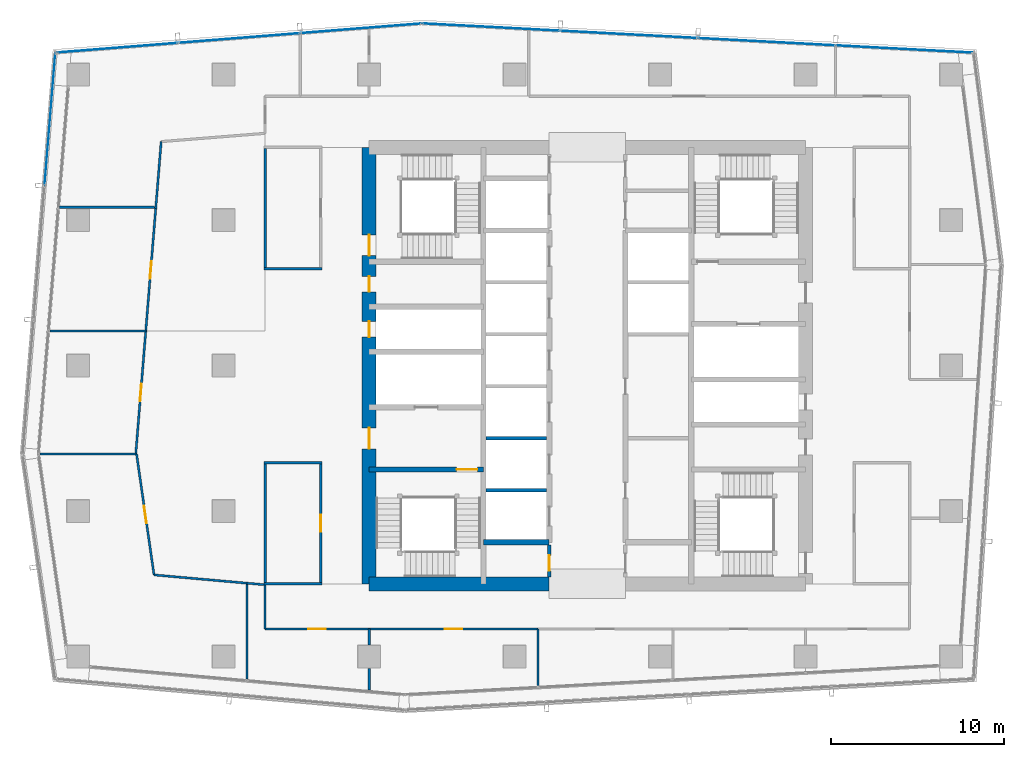
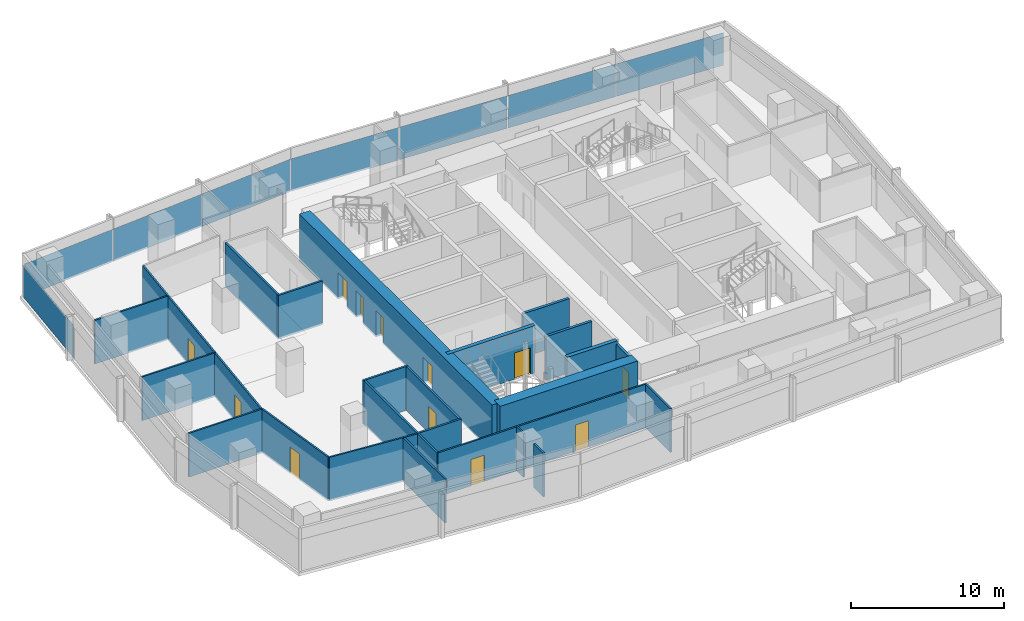
# One storey, part 22 of 30: 29 walls, 12 doors, 8 plates, 12 openings, 3 elements without a shape of their own.
"""IFC4 building model written with IfcOpenShell, lengths in metres."""

from ifc_helpers import new_model, si_unit, direction, frame, frame_2d, origin, origin_2d, place, context, subcontext, project, spatial, rectangle, extrude, material, layer, layer_set, type_object, element, fill, aggregate, save


model = new_model("IFC4")

# Units and contexts
model_context = context("Model", 3, precision=1e-05, world=origin(), true_north=direction((0.0, 1.0)))
body_context = subcontext(model_context, "Body", "Model", "MODEL_VIEW")
ifc_project = project(units=[si_unit("LENGTHUNIT", "METRE"), si_unit("AREAUNIT", "SQUARE_METRE"), si_unit("VOLUMEUNIT", "CUBIC_METRE"), si_unit("PLANEANGLEUNIT", "RADIAN"), si_unit("MASSUNIT", "GRAM", prefix="KILO")], contexts=[model_context])

# Site, building, storey
site_placement = place(None, origin())
site = spatial("IfcSite", under=ifc_project, at=site_placement, CompositionType="ELEMENT")
building_placement = place(site_placement, origin())
building = spatial("IfcBuilding", under=site, at=building_placement, Name="Rekha Terrace Tower", CompositionType="ELEMENT")
storey_placement = place(building_placement, frame((0.0, 0.0, 272.60009765625)))
storey = spatial("IfcBuildingStorey", under=building, at=storey_placement, Name="L69", CompositionType="ELEMENT", Elevation=272.60009765625)

# Curtain wall, plate
ifc_material_1 = material(Name="Aluminium framing", Category="aluminium")
curtain_wall_type_1 = type_object("IfcCurtainWallType", Name="CW2 double skin outer glazing", PredefinedType="USERDEFINED", material=ifc_material_1)
curtain_wall_1_placement = place(storey_placement, origin())
curtain_wall_1 = element("IfcCurtainWall", 1, at=curtain_wall_1_placement, inside=storey, type_object=curtain_wall_type_1, Name="CW2 double skin outer glazing", ObjectType="DOUBLE SKIN OUTER GLAZING", PredefinedType="USERDEFINED")
ifc_material_2 = material(Name="Toughened single glazing 12", Category="glass")
ifc_layer_1 = layer(ifc_material_2, 0.011962890625)
ifc_layer_set_1 = layer_set([ifc_layer_1], Name="Toughened single glazing 12")
plate_type_1 = type_object("IfcPlateType", Name="CW2 jumbo vision panel, toughened single glazing 12", PredefinedType="CURTAIN_PANEL", material=ifc_layer_set_1)
plate_1_placement = place(storey_placement, frame((6.7822265625, 47.813720703125, -0.000244140625), z_axis=(0.0, 0.0, 1.0), x_axis=(-0.081067906816, -0.996708580521, 0.0)))
plate_1 = element("IfcPlate", 2, at=plate_1_placement, type_object=plate_type_1, Name="CW2 panel 1.1", PredefinedType="CURTAIN_PANEL", context=body_context, shape_type="SweptSolid", body=[
    extrude(rectangle(XDim=7.640869140625, YDim=0.011962890625, at=origin_2d()), origin(), (0.0, 0.0, 1.0), 2.60009765625),
])
aggregate(curtain_wall_1, [plate_1])

# Curtain wall, plates
curtain_wall_type_2 = type_object("IfcCurtainWallType", Name="CW3 north unitised glazing", PredefinedType="USERDEFINED", material=ifc_material_1)
curtain_wall_2_placement = place(storey_placement, origin())
curtain_wall_2 = element("IfcCurtainWall", 3, at=curtain_wall_2_placement, inside=storey, type_object=curtain_wall_type_2, Name="CW3 unitised curtain wall", ObjectType="UNITISED CURTAIN WALL", PredefinedType="USERDEFINED")
ifc_material_3 = material(Name="Double-glazed unit 28", Category="glass")
ifc_layer_2 = layer(ifc_material_3, 0.028076171875)
ifc_layer_set_2 = layer_set([ifc_layer_2], Name="Double-glazed unit 28")
plate_type_2 = type_object("IfcPlateType", Name="CW3 jumbo vision panel, double-glazed unit 28", PredefinedType="CURTAIN_PANEL", material=ifc_layer_set_2)
plate_2_placement = place(storey_placement, frame((56.080322265625, 51.871337890625, -0.000244140625), z_axis=(0.0, 0.0, 1.0), x_axis=(-0.998590089005, 0.053083275524, 0.0)))
plate_2 = element("IfcPlate", 4, at=plate_2_placement, type_object=plate_type_2, Name="CW3 panel 1.1", PredefinedType="CURTAIN_PANEL", context=body_context, shape_type="SweptSolid", body=[
    extrude(rectangle(XDim=7.856201171875, YDim=0.028076171875, at=origin_2d()), origin(), (0.0, 0.0, 1.0), 2.60009765625),
])
plate_3_placement = place(storey_placement, frame((48.14794921875, 52.29296875, -0.000244140625), z_axis=(0.0, 0.0, 1.0), x_axis=(-0.998590089005, 0.053083275524, 0.0)))
plate_3 = element("IfcPlate", 5, at=plate_3_placement, type_object=plate_type_2, Name="CW3 panel 2.1", PredefinedType="CURTAIN_PANEL", context=body_context, shape_type="SweptSolid", body=[
    extrude(rectangle(XDim=7.891357421875, YDim=0.028076171875, at=origin_2d()), origin(), (0.0, 0.0, 1.0), 2.60009765625),
])
plate_4_placement = place(storey_placement, frame((40.19775390625, 52.715576171875, -0.000244140625), z_axis=(0.0, 0.0, 1.0), x_axis=(-0.998590089005, 0.053083275524, 0.0)))
plate_4 = element("IfcPlate", 6, at=plate_4_placement, type_object=plate_type_2, Name="CW3 panel 3.1", PredefinedType="CURTAIN_PANEL", context=body_context, shape_type="SweptSolid", body=[
    extrude(rectangle(XDim=7.891357421875, YDim=0.028076171875, at=origin_2d()), origin(), (0.0, 0.0, 1.0), 2.60009765625),
])
plate_5_placement = place(storey_placement, frame((32.230224609375, 53.13916015625, -0.000244140625), z_axis=(0.0, 0.0, 1.0), x_axis=(-0.998590089005, 0.053083275524, 0.0)))
plate_5 = element("IfcPlate", 7, at=plate_5_placement, type_object=plate_type_2, Name="CW3 panel 4.1", PredefinedType="CURTAIN_PANEL", context=body_context, shape_type="SweptSolid", body=[
    extrude(rectangle(XDim=7.92626953125, YDim=0.028076171875, at=origin_2d()), origin(), (0.0, 0.0, 1.0), 2.60009765625),
])
aggregate(curtain_wall_2, [plate_2, plate_3, plate_4, plate_5])

curtain_wall_3_placement = place(storey_placement, origin())
curtain_wall_3 = element("IfcCurtainWall", 8, at=curtain_wall_3_placement, inside=storey, type_object=curtain_wall_type_2, Name="CW3 unitised curtain wall", ObjectType="UNITISED CURTAIN WALL", PredefinedType="USERDEFINED")
plate_6_placement = place(storey_placement, frame((24.732421875, 53.0673828125, -0.000244140625), z_axis=(0.0, 0.0, 1.0), x_axis=(-0.996836058026, -0.07948505154, 0.0)))
plate_6 = element("IfcPlate", 9, at=plate_6_placement, type_object=plate_type_2, Name="CW3 panel 1.1", PredefinedType="CURTAIN_PANEL", context=body_context, shape_type="SweptSolid", body=[
    extrude(rectangle(XDim=6.963134765625, YDim=0.028076171875, at=origin_2d()), origin(), (0.0, 0.0, 1.0), 2.60009765625),
])
plate_7_placement = place(storey_placement, frame((17.7041015625, 52.5068359375, -0.000244140625), z_axis=(0.0, 0.0, 1.0), x_axis=(-0.996836058026, -0.07948505154, 0.0)))
plate_7 = element("IfcPlate", 10, at=plate_7_placement, type_object=plate_type_2, Name="CW3 panel 2.1", PredefinedType="CURTAIN_PANEL", context=body_context, shape_type="SweptSolid", body=[
    extrude(rectangle(XDim=6.998046875, YDim=0.028076171875, at=origin_2d()), origin(), (0.0, 0.0, 1.0), 2.60009765625),
])
plate_8_placement = place(storey_placement, frame((10.67578125, 51.946533203125, -0.000244140625), z_axis=(0.0, 0.0, 1.0), x_axis=(-0.996836058026, -0.07948505154, 0.0)))
plate_8 = element("IfcPlate", 11, at=plate_8_placement, type_object=plate_type_2, Name="CW3 panel 3.1", PredefinedType="CURTAIN_PANEL", context=body_context, shape_type="SweptSolid", body=[
    extrude(rectangle(XDim=6.963134765625, YDim=0.028076171875, at=origin_2d()), origin(), (0.0, 0.0, 1.0), 2.60009765625),
])
aggregate(curtain_wall_3, [plate_6, plate_7, plate_8])

# Wall
ifc_material_4 = material(Name="Concrete M60", Category="concrete")
ifc_layer_3 = layer(ifc_material_4, 0.300048828125)
ifc_layer_set_3 = layer_set([ifc_layer_3], Name="Concrete M60")
wall_type_1 = type_object("IfcWallType", Name="CI5 300 core internal shear wall", PredefinedType="SHEAR", material=ifc_layer_set_3)
wall_1_placement = place(storey_placement, frame((31.800048828125, 23.39990234375, 0.0), z_axis=(0.0, 0.0, 1.0), x_axis=(1.0, 0.0, 0.0)))
element("IfcWall", 12, at=wall_1_placement, inside=storey, type_object=wall_type_1, Name="Core wall Y234W L69", PredefinedType="SHEAR", context=body_context, shape_type="SweptSolid", body=[
    extrude(rectangle(XDim=3.800048828125, YDim=0.300048828125, at=frame_2d((1.89990234375, 0.0))), origin(), (0.0, 0.0, 1.0), 3.75),
])

# Wall, opening, door
wall_2_placement = place(storey_placement, frame((25.199951171875, 27.60009765625, 0.0), z_axis=(0.0, 0.0, 1.0), x_axis=(1.0, 0.0, 0.0)))
wall_2 = element("IfcWall", 13, at=wall_2_placement, inside=storey, type_object=wall_type_1, Name="Core wall Y276W L69", PredefinedType="SHEAR", context=body_context, shape_type="SweptSolid", body=[
    extrude(rectangle(XDim=6.60009765625, YDim=0.300048828125, at=frame_2d((3.300048828125, 0.0))), origin(), (0.0, 0.0, 1.0), 3.75),
])
opening_1_placement = place(wall_2_placement, frame((5.050048828125, 0.0, 0.0)))
opening_1 = element("IfcOpeningElement", 14, at=opening_1_placement, cuts=wall_2, Name="Opening D1", PredefinedType="OPENING", context=body_context, shape_type="SweptSolid", body=[
    extrude(rectangle(XDim=1.199951171875, YDim=2.10009765625, at=frame_2d((0.60009765625, 1.050048828125))), frame((0.0, 0.159912109375, 0.0), z_axis=(0.0, -1.0, 0.0), x_axis=(1.0, 0.0, 0.0)), (0.0, 0.0, 1.0), 0.320068359375),
])
ifc_material_5 = material(Name="Steel fire door", Category="steel")
door_type_1 = type_object("IfcDoorType", Name="D1 1200x2100 stair fire door", OperationType="SINGLE_SWING_RIGHT", PredefinedType="DOOR", material=ifc_material_5)
door_1_placement = place(opening_1_placement, origin())
door_1 = element("IfcDoor", 15, at=door_1_placement, inside=storey, type_object=door_type_1, Name="Stair ST1 door L69", OperationType="SINGLE_SWING_RIGHT", OverallHeight=2.10009765625, OverallWidth=1.199951171875, PredefinedType="DOOR", context=body_context, shape_type="SweptSolid", body=[
    extrude(rectangle(XDim=1.199951171875, YDim=2.10009765625, at=frame_2d((0.60009765625, 1.050048828125))), frame((0.0, 0.02490234375, 0.0), z_axis=(0.0, -1.0, 0.0), x_axis=(1.0, 0.0, 0.0)), (0.0, 0.0, 1.0), 0.050048828125),
])
fill(opening_1, door_1)

# Wall
ifc_layer_4 = layer(ifc_material_4, 0.800048828125)
ifc_layer_set_4 = layer_set([ifc_layer_4], Name="Concrete M60")
wall_type_2 = type_object("IfcWallType", Name="SW5 800 core outer shear wall", PredefinedType="SHEAR", material=ifc_layer_set_4)
wall_3_placement = place(storey_placement, frame((25.199951171875, 21.0, 0.0), z_axis=(0.0, 0.0, 1.0), x_axis=(1.0, 0.0, 0.0)))
element("IfcWall", 16, at=wall_3_placement, inside=storey, type_object=wall_type_2, Name="Core wall S1 L69", PredefinedType="SHEAR", context=body_context, shape_type="SweptSolid", body=[
    extrude(rectangle(XDim=10.400146484375, YDim=0.800048828125, at=frame_2d((5.2001953125, 0.0))), origin(), (0.0, 0.0, 1.0), 3.75),
])

# Wall, openings, doors
wall_4_placement = place(storey_placement, frame((25.199951171875, 21.0, 0.0), z_axis=(0.0, 0.0, 1.0), x_axis=(0.0, 1.0, 0.0)))
wall_4 = element("IfcWall", 17, at=wall_4_placement, inside=storey, type_object=wall_type_2, Name="Core wall W L69", PredefinedType="SHEAR", context=body_context, shape_type="SweptSolid", body=[
    extrude(rectangle(XDim=25.199951171875, YDim=0.800048828125, at=frame_2d((12.60009765625, 0.0))), origin(), (0.0, 0.0, 1.0), 3.75),
])
opening_2_placement = place(wall_4_placement, frame((7.800048828125, 0.0, 0.0)))
opening_2 = element("IfcOpeningElement", 18, at=opening_2_placement, cuts=wall_4, Name="Opening D2", PredefinedType="OPENING", context=body_context, shape_type="SweptSolid", body=[
    extrude(rectangle(XDim=1.199951171875, YDim=2.10009765625, at=frame_2d((0.60009765625, 1.050048828125))), frame((0.0, 0.409912109375, 0.0), z_axis=(0.0, -1.0, 0.0), x_axis=(1.0, 0.0, 0.0)), (0.0, 0.0, 1.0), 0.820068359375),
])
opening_3_placement = place(wall_4_placement, frame((14.25, 0.0, 0.0)))
opening_3 = element("IfcOpeningElement", 19, at=opening_3_placement, cuts=wall_4, Name="Opening D5", PredefinedType="OPENING", context=body_context, shape_type="SweptSolid", body=[
    extrude(rectangle(XDim=0.89990234375, YDim=2.10009765625, at=frame_2d((0.449951171875, 1.050048828125))), frame((0.0, 0.409912109375, 0.0), z_axis=(0.0, -1.0, 0.0), x_axis=(1.0, 0.0, 0.0)), (0.0, 0.0, 1.0), 0.820068359375),
])
opening_4_placement = place(wall_4_placement, frame((16.85009765625, 0.0, 0.0)))
opening_4 = element("IfcOpeningElement", 20, at=opening_4_placement, cuts=wall_4, Name="Opening D5", PredefinedType="OPENING", context=body_context, shape_type="SweptSolid", body=[
    extrude(rectangle(XDim=0.89990234375, YDim=2.10009765625, at=frame_2d((0.449951171875, 1.050048828125))), frame((0.0, 0.409912109375, 0.0), z_axis=(0.0, -1.0, 0.0), x_axis=(1.0, 0.0, 0.0)), (0.0, 0.0, 1.0), 0.820068359375),
])
opening_5_placement = place(wall_4_placement, frame((18.949951171875, 0.0, 0.0)))
opening_5 = element("IfcOpeningElement", 21, at=opening_5_placement, cuts=wall_4, Name="Opening D1", PredefinedType="OPENING", context=body_context, shape_type="SweptSolid", body=[
    extrude(rectangle(XDim=1.199951171875, YDim=2.10009765625, at=frame_2d((0.60009765625, 1.050048828125))), frame((0.0, 0.409912109375, 0.0), z_axis=(0.0, -1.0, 0.0), x_axis=(1.0, 0.0, 0.0)), (0.0, 0.0, 1.0), 0.820068359375),
])
door_2_placement = place(opening_5_placement, origin())
door_2 = element("IfcDoor", 22, at=door_2_placement, inside=storey, type_object=door_type_1, Name="Stair ST4 door L69", OperationType="SINGLE_SWING_RIGHT", OverallHeight=2.10009765625, OverallWidth=1.199951171875, PredefinedType="DOOR", context=body_context, shape_type="SweptSolid", body=[
    extrude(rectangle(XDim=1.199951171875, YDim=2.10009765625, at=frame_2d((0.60009765625, 1.050048828125))), frame((0.0, 0.02490234375, 0.0), z_axis=(0.0, -1.0, 0.0), x_axis=(1.0, 0.0, 0.0)), (0.0, 0.0, 1.0), 0.050048828125),
])
fill(opening_5, door_2)
door_type_2 = type_object("IfcDoorType", Name="D2 1200x2100 firefighting lobby door", OperationType="SINGLE_SWING_LEFT", PredefinedType="DOOR", material=ifc_material_5)
door_3_placement = place(opening_2_placement, origin())
door_3 = element("IfcDoor", 23, at=door_3_placement, inside=storey, type_object=door_type_2, Name="Door flb1 L69", OperationType="SINGLE_SWING_LEFT", OverallHeight=2.10009765625, OverallWidth=1.199951171875, PredefinedType="DOOR", context=body_context, shape_type="SweptSolid", body=[
    extrude(rectangle(XDim=1.199951171875, YDim=2.10009765625, at=frame_2d((0.60009765625, 1.050048828125))), frame((0.0, 0.02490234375, 0.0), z_axis=(0.0, -1.0, 0.0), x_axis=(1.0, 0.0, 0.0)), (0.0, 0.0, 1.0), 0.050048828125),
])
fill(opening_2, door_3)
door_type_3 = type_object("IfcDoorType", Name="D5 900x2100 riser access door", OperationType="SINGLE_SWING_LEFT", PredefinedType="DOOR", material=ifc_material_5)
door_4_placement = place(opening_3_placement, origin())
door_4 = element("IfcDoor", 24, at=door_4_placement, inside=storey, type_object=door_type_3, Name="Door rs1 L69", OperationType="SINGLE_SWING_LEFT", OverallHeight=2.10009765625, OverallWidth=0.89990234375, PredefinedType="DOOR", context=body_context, shape_type="SweptSolid", body=[
    extrude(rectangle(XDim=0.89990234375, YDim=2.10009765625, at=frame_2d((0.449951171875, 1.050048828125))), frame((0.0, 0.02490234375, 0.0), z_axis=(0.0, -1.0, 0.0), x_axis=(1.0, 0.0, 0.0)), (0.0, 0.0, 1.0), 0.050048828125),
])
fill(opening_3, door_4)
door_5_placement = place(opening_4_placement, origin())
door_5 = element("IfcDoor", 25, at=door_5_placement, inside=storey, type_object=door_type_3, Name="Door elw L69", OperationType="SINGLE_SWING_LEFT", OverallHeight=2.10009765625, OverallWidth=0.89990234375, PredefinedType="DOOR", context=body_context, shape_type="SweptSolid", body=[
    extrude(rectangle(XDim=0.89990234375, YDim=2.10009765625, at=frame_2d((0.449951171875, 1.050048828125))), frame((0.0, 0.02490234375, 0.0), z_axis=(0.0, -1.0, 0.0), x_axis=(1.0, 0.0, 0.0)), (0.0, 0.0, 1.0), 0.050048828125),
])
fill(opening_4, door_5)

# Walls
ifc_material_6 = material(Name="Concrete block masonry, 1 hour", Category="masonry")
ifc_layer_5 = layer(ifc_material_6, 0.14990234375)
ifc_layer_set_5 = layer_set([ifc_layer_5], Name="Concrete block masonry, 1 hour")
wall_type_3 = type_object("IfcWallType", Name="WP2 150 tenancy partition", PredefinedType="PARTITIONING", material=ifc_layer_set_5)
wall_5_placement = place(storey_placement, frame((19.125, 39.199951171875, 0.0), z_axis=(0.0, 0.0, 1.0), x_axis=(1.0, 0.0, 0.0)))
element("IfcWall", 26, at=wall_5_placement, inside=storey, type_object=wall_type_3, Name="Women's WC wall L69", PredefinedType="PARTITIONING", context=body_context, shape_type="SweptSolid", body=[
    extrude(rectangle(XDim=3.35009765625, YDim=0.14990234375, at=frame_2d((1.675048828125, 0.0))), origin(), (0.0, 0.0, 1.0), 3.5),
])
wall_6_placement = place(storey_placement, frame((19.199951171875, 39.27490234375, 0.0), z_axis=(0.0, 0.0, 1.0), x_axis=(0.0, 1.0, 0.0)))
element("IfcWall", 27, at=wall_6_placement, inside=storey, type_object=wall_type_3, Name="Women's WC wall L69", PredefinedType="PARTITIONING", context=body_context, shape_type="SweptSolid", body=[
    extrude(rectangle(XDim=6.85009765625, YDim=0.14990234375, at=frame_2d((3.425048828125, 0.0))), origin(), (0.0, 0.0, 1.0), 3.5),
])
for number, where, z_axis, x_axis, name in (
    (28, (19.125, 21.0, 0.0), (0.0, 0.0, 1.0), (1.0, 0.0, 0.0), "Men's WC wall L69"),
    (29, (19.125, 28.0, 0.0), (0.0, 0.0, 1.0), (1.0, 0.0, 0.0), "Men's WC wall L69"),
):
    element("IfcWall", number, at=place(storey_placement, frame(where, z_axis=z_axis, x_axis=x_axis)), inside=storey, type_object=wall_type_3, Name=name, PredefinedType="PARTITIONING", context=body_context, shape_type="SweptSolid", body=[
        extrude(rectangle(XDim=3.35009765625, YDim=0.14990234375, at=frame_2d((1.675048828125, 0.0))), origin(), (0.0, 0.0, 1.0), 3.5),
    ])
wall_7_placement = place(storey_placement, frame((19.199951171875, 21.074951171875, 0.0), z_axis=(0.0, 0.0, 1.0), x_axis=(0.0, 1.0, 0.0)))
element("IfcWall", 30, at=wall_7_placement, inside=storey, type_object=wall_type_3, Name="Men's WC wall L69", PredefinedType="PARTITIONING", context=body_context, shape_type="SweptSolid", body=[
    extrude(rectangle(XDim=6.85009765625, YDim=0.14990234375, at=frame_2d((3.425048828125, 0.0))), origin(), (0.0, 0.0, 1.0), 3.5),
])

# Wall, opening, door
wall_8_placement = place(storey_placement, frame((22.39990234375, 21.074951171875, 0.0), z_axis=(0.0, 0.0, 1.0), x_axis=(0.0, 1.0, 0.0)))
wall_8 = element("IfcWall", 31, at=wall_8_placement, inside=storey, type_object=wall_type_3, Name="Men's WC wall L69", PredefinedType="PARTITIONING", context=body_context, shape_type="SweptSolid", body=[
    extrude(rectangle(XDim=6.85009765625, YDim=0.14990234375, at=frame_2d((3.425048828125, 0.0))), origin(), (0.0, 0.0, 1.0), 3.5),
])
opening_6_placement = place(wall_8_placement, frame((2.925048828125, 0.0, 0.0)))
opening_6 = element("IfcOpeningElement", 32, at=opening_6_placement, cuts=wall_8, Name="Opening D3", PredefinedType="OPENING", context=body_context, shape_type="SweptSolid", body=[
    extrude(rectangle(XDim=1.0, YDim=2.10009765625, at=frame_2d((0.5, 1.050048828125))), frame((0.0, 0.0849609375, 0.0), z_axis=(0.0, -1.0, 0.0), x_axis=(1.0, 0.0, 0.0)), (0.0, 0.0, 1.0), 0.169921875),
])
ifc_material_7 = material(Name="Laminated timber fire door", Category="wood")
door_type_4 = type_object("IfcDoorType", Name="D3 1000x2100 WC door", OperationType="SINGLE_SWING_LEFT", PredefinedType="DOOR", material=ifc_material_7)
door_6_placement = place(opening_6_placement, origin())
door_6 = element("IfcDoor", 33, at=door_6_placement, inside=storey, type_object=door_type_4, Name="Door men's wc L69", OperationType="SINGLE_SWING_LEFT", OverallHeight=2.10009765625, OverallWidth=1.0, PredefinedType="DOOR", context=body_context, shape_type="SweptSolid", body=[
    extrude(rectangle(XDim=1.0, YDim=2.10009765625, at=frame_2d((0.5, 1.050048828125))), frame((0.0, 0.02490234375, 0.0), z_axis=(0.0, -1.0, 0.0), x_axis=(1.0, 0.0, 0.0)), (0.0, 0.0, 1.0), 0.050048828125),
])
fill(opening_6, door_6)

# Walls
ifc_material_8 = material(Name="Two layers of fire-rated gypsum board each side on steel studs, acoustic quilt, 1 hour", Category="steel")
ifc_layer_6 = layer(ifc_material_8, 0.125)
ifc_layer_set_6 = layer_set([ifc_layer_6], Name="Two layers of fire-rated gypsum board each side on steel studs, acoustic quilt, 1 hour")
wall_type_4 = type_object("IfcWallType", Name="WP3 125 office partition", PredefinedType="PARTITIONING", material=ifc_layer_set_6)
wall_9_placement = place(storey_placement, frame((13.198974609375, 46.530029296875, 0.0), z_axis=(0.0, 0.0, 1.0), x_axis=(-0.081048669132, -0.996710145043, 0.0)))
element("IfcWall", 34, at=wall_9_placement, inside=storey, type_object=wall_type_4, Name="Partition L69-06", PredefinedType="PARTITIONING", context=body_context, shape_type="SweptSolid", body=[
    extrude(rectangle(XDim=3.8857421875, YDim=0.125, at=frame_2d((1.94287109375, 0.0))), origin(), (0.0, 0.0, 1.0), 3.5),
])
wall_10_placement = place(storey_placement, frame((12.827880859375, 42.741943359375, 0.0), z_axis=(0.0, 0.0, 1.0), x_axis=(-1.0, 0.0, 0.0)))
element("IfcWall", 35, at=wall_10_placement, inside=storey, type_object=wall_type_4, Name="Partition L69-06", PredefinedType="PARTITIONING", context=body_context, shape_type="SweptSolid", body=[
    extrude(rectangle(XDim=5.5048828125, YDim=0.125, at=frame_2d((2.75244140625, 0.0))), origin(), (0.0, 0.0, 1.0), 3.5),
])

# Wall, opening, door
wall_11_placement = place(storey_placement, frame((12.884033203125, 42.656005859375, 0.0), z_axis=(0.0, 0.0, 1.0), x_axis=(-0.08110159124, -0.996705840205, 0.0)))
wall_11 = element("IfcWall", 36, at=wall_11_placement, inside=storey, type_object=wall_type_4, Name="Partition L69-07", PredefinedType="PARTITIONING", context=body_context, shape_type="SweptSolid", body=[
    extrude(rectangle(XDim=7.08935546875, YDim=0.125, at=frame_2d((3.544677734375, 0.0))), origin(), (0.0, 0.0, 1.0), 3.5),
])
opening_7_placement = place(wall_11_placement, frame((3.044921875, 0.0, 0.0)))
opening_7 = element("IfcOpeningElement", 37, at=opening_7_placement, cuts=wall_11, Name="Opening D9", PredefinedType="OPENING", context=body_context, shape_type="SweptSolid", body=[
    extrude(rectangle(XDim=1.0, YDim=2.10009765625, at=frame_2d((0.5, 1.050048828125))), frame((0.0, 0.072509765625, 0.0), z_axis=(0.0, -1.0, 0.0), x_axis=(1.0, 0.0, 0.0)), (0.0, 0.0, 1.0), 0.14501953125),
])
ifc_material_9 = material(Name="Timber fire door", Category="wood")
door_type_5 = type_object("IfcDoorType", Name="D9 1000x2100 office door", OperationType="SINGLE_SWING_LEFT", PredefinedType="DOOR", material=ifc_material_9)
door_7_placement = place(opening_7_placement, origin())
door_7 = element("IfcDoor", 38, at=door_7_placement, inside=storey, type_object=door_type_5, Name="Door board meeting room L69", OperationType="SINGLE_SWING_LEFT", OverallHeight=2.10009765625, OverallWidth=1.0, PredefinedType="DOOR", context=body_context, shape_type="SweptSolid", body=[
    extrude(rectangle(XDim=1.0, YDim=2.10009765625, at=frame_2d((0.5, 1.050048828125))), frame((0.0, 0.02490234375, 0.0), z_axis=(0.0, -1.0, 0.0), x_axis=(1.0, 0.0, 0.0)), (0.0, 0.0, 1.0), 0.050048828125),
])
fill(opening_7, door_7)

# Walls
wall_12_placement = place(storey_placement, frame((12.30908203125, 35.590087890625, 0.0), z_axis=(0.0, 0.0, 1.0), x_axis=(-1.0, 0.0, 0.0)))
element("IfcWall", 39, at=wall_12_placement, inside=storey, type_object=wall_type_4, Name="Partition L69-07", PredefinedType="PARTITIONING", context=body_context, shape_type="SweptSolid", body=[
    extrude(rectangle(XDim=5.5380859375, YDim=0.125, at=frame_2d((2.76904296875, 0.0))), origin(), (0.0, 0.0, 1.0), 3.5),
])
wall_13_placement = place(storey_placement, frame((34.947998046875, 15.114013671875, 0.0), z_axis=(0.0, 0.0, 1.0), x_axis=(0.0, 1.0, 0.0)))
element("IfcWall", 40, at=wall_13_placement, inside=storey, type_object=wall_type_4, Name="Partition L69-08", PredefinedType="PARTITIONING", context=body_context, shape_type="SweptSolid", body=[
    extrude(rectangle(XDim=3.285888671875, YDim=0.125, at=frame_2d((1.64306640625, 0.0))), origin(), (0.0, 0.0, 1.0), 3.5),
])

# Wall, opening, door
wall_14_placement = place(storey_placement, frame((12.30908203125, 35.589111328125, 0.0), z_axis=(0.0, 0.0, 1.0), x_axis=(-0.081053384124, -0.996709761627, 0.0)))
wall_14 = element("IfcWall", 41, at=wall_14_placement, inside=storey, type_object=wall_type_4, Name="Partition L69-11", PredefinedType="PARTITIONING", context=body_context, shape_type="SweptSolid", body=[
    extrude(rectangle(XDim=7.12060546875, YDim=0.125, at=frame_2d((3.560302734375, 0.0))), origin(), (0.0, 0.0, 1.0), 3.5),
])
opening_8_placement = place(wall_14_placement, frame((3.06005859375, 0.0, 0.0)))
opening_8 = element("IfcOpeningElement", 42, at=opening_8_placement, cuts=wall_14, Name="Opening D9", PredefinedType="OPENING", context=body_context, shape_type="SweptSolid", body=[
    extrude(rectangle(XDim=1.0, YDim=2.10009765625, at=frame_2d((0.5, 1.050048828125))), frame((0.0, 0.072509765625, 0.0), z_axis=(0.0, -1.0, 0.0), x_axis=(1.0, 0.0, 0.0)), (0.0, 0.0, 1.0), 0.14501953125),
])
door_8_placement = place(opening_8_placement, origin())
door_8 = element("IfcDoor", 43, at=door_8_placement, inside=storey, type_object=door_type_5, Name="Door wellness room L69", OperationType="SINGLE_SWING_LEFT", OverallHeight=2.10009765625, OverallWidth=1.0, PredefinedType="DOOR", context=body_context, shape_type="SweptSolid", body=[
    extrude(rectangle(XDim=1.0, YDim=2.10009765625, at=frame_2d((0.5, 1.050048828125))), frame((0.0, 0.02490234375, 0.0), z_axis=(0.0, -1.0, 0.0), x_axis=(1.0, 0.0, 0.0)), (0.0, 0.0, 1.0), 0.050048828125),
])
fill(opening_8, door_8)

# Wall
wall_15_placement = place(storey_placement, frame((11.73193359375, 28.491943359375, 0.0), z_axis=(0.0, 0.0, 1.0), x_axis=(-1.0, 0.0, 0.0)))
element("IfcWall", 44, at=wall_15_placement, inside=storey, type_object=wall_type_4, Name="Partition L69-11", PredefinedType="PARTITIONING", context=body_context, shape_type="SweptSolid", body=[
    extrude(rectangle(XDim=5.531005859375, YDim=0.125, at=frame_2d((2.765625, 0.0))), origin(), (0.0, 0.0, 1.0), 3.5),
])

# Wall, opening, door
wall_16_placement = place(storey_placement, frame((11.779052734375, 28.488037109375, 0.0), z_axis=(0.0, 0.0, 1.0), x_axis=(0.143139230014, -0.989702561799, 0.0)))
wall_16 = element("IfcWall", 45, at=wall_16_placement, inside=storey, type_object=wall_type_4, Name="Partition L69-12", PredefinedType="PARTITIONING", context=body_context, shape_type="SweptSolid", body=[
    extrude(rectangle(XDim=7.04248046875, YDim=0.125, at=frame_2d((3.521240234375, 0.0))), origin(), (0.0, 0.0, 1.0), 3.5),
])
opening_9_placement = place(wall_16_placement, frame((3.02001953125, 0.0, 0.0)))
opening_9 = element("IfcOpeningElement", 46, at=opening_9_placement, cuts=wall_16, Name="Opening D9", PredefinedType="OPENING", context=body_context, shape_type="SweptSolid", body=[
    extrude(rectangle(XDim=1.0, YDim=2.10009765625, at=frame_2d((0.5, 1.050048828125))), frame((0.0, 0.072509765625, 0.0), z_axis=(0.0, -1.0, 0.0), x_axis=(1.0, 0.0, 0.0)), (0.0, 0.0, 1.0), 0.14501953125),
])
door_9_placement = place(opening_9_placement, origin())
door_9 = element("IfcDoor", 47, at=door_9_placement, inside=storey, type_object=door_type_5, Name="Door director's office L69", OperationType="SINGLE_SWING_LEFT", OverallHeight=2.10009765625, OverallWidth=1.0, PredefinedType="DOOR", context=body_context, shape_type="SweptSolid", body=[
    extrude(rectangle(XDim=1.0, YDim=2.10009765625, at=frame_2d((0.5, 1.050048828125))), frame((0.0, 0.02490234375, 0.0), z_axis=(0.0, -1.0, 0.0), x_axis=(1.0, 0.0, 0.0)), (0.0, 0.0, 1.0), 0.050048828125),
])
fill(opening_9, door_9)

# Walls
wall_17_placement = place(storey_placement, frame((12.787109375, 21.51806640625, 0.0), z_axis=(0.0, 0.0, 1.0), x_axis=(0.996065348673, -0.088621787237, 0.0)))
element("IfcWall", 48, at=wall_17_placement, inside=storey, type_object=wall_type_4, Name="Partition L69-12", PredefinedType="PARTITIONING", context=body_context, shape_type="SweptSolid", body=[
    extrude(rectangle(XDim=5.383056640625, YDim=0.125, at=frame_2d((2.69140625, 0.0))), origin(), (0.0, 0.0, 1.0), 3.5),
])
wall_18_placement = place(storey_placement, frame((18.14892578125, 21.041015625, 0.0), z_axis=(0.0, 0.0, 1.0), x_axis=(0.0, -1.0, 0.0)))
element("IfcWall", 49, at=wall_18_placement, inside=storey, type_object=wall_type_4, Name="Partition L69-12", PredefinedType="PARTITIONING", context=body_context, shape_type="SweptSolid", body=[
    extrude(rectangle(XDim=5.541015625, YDim=0.125, at=frame_2d((2.7705078125, 0.0))), origin(), (0.0, 0.0, 1.0), 3.5),
])
wall_19_placement = place(storey_placement, frame((18.14990234375, 21.041015625, 0.0), z_axis=(0.0, 0.0, 1.0), x_axis=(0.996138836376, -0.087791905459, 0.0)))
element("IfcWall", 50, at=wall_19_placement, inside=storey, type_object=wall_type_4, Name="Partition L69-13", PredefinedType="PARTITIONING", context=body_context, shape_type="SweptSolid", body=[
    extrude(rectangle(XDim=0.978759765625, YDim=0.125, at=frame_2d((0.4892578125, 0.0))), origin(), (0.0, 0.0, 1.0), 3.5),
])
wall_20_placement = place(storey_placement, frame((19.199951171875, 20.925048828125, 0.0), z_axis=(0.0, 0.0, 1.0), x_axis=(0.0, -1.0, 0.0)))
element("IfcWall", 51, at=wall_20_placement, inside=storey, type_object=wall_type_4, Name="Partition L69-13", PredefinedType="PARTITIONING", context=body_context, shape_type="SweptSolid", body=[
    extrude(rectangle(XDim=2.525146484375, YDim=0.125, at=frame_2d((1.2626953125, 0.0))), origin(), (0.0, 0.0, 1.0), 3.5),
])

# Wall, opening, door
wall_21_placement = place(storey_placement, frame((19.199951171875, 18.39990234375, 0.0), z_axis=(0.0, 0.0, 1.0), x_axis=(1.0, 0.0, 0.0)))
wall_21 = element("IfcWall", 52, at=wall_21_placement, inside=storey, type_object=wall_type_4, Name="Partition L69-13", PredefinedType="PARTITIONING", context=body_context, shape_type="SweptSolid", body=[
    extrude(rectangle(XDim=6.006103515625, YDim=0.125, at=frame_2d((3.0029296875, 0.0))), origin(), (0.0, 0.0, 1.0), 3.5),
])
opening_10_placement = place(wall_21_placement, frame((2.5029296875, 0.0, 0.0)))
opening_10 = element("IfcOpeningElement", 53, at=opening_10_placement, cuts=wall_21, Name="Opening D9", PredefinedType="OPENING", context=body_context, shape_type="SweptSolid", body=[
    extrude(rectangle(XDim=1.0, YDim=2.10009765625, at=frame_2d((0.5, 1.050048828125))), frame((0.0, 0.072509765625, 0.0), z_axis=(0.0, -1.0, 0.0), x_axis=(1.0, 0.0, 0.0)), (0.0, 0.0, 1.0), 0.14501953125),
])
door_10_placement = place(opening_10_placement, origin())
door_10 = element("IfcDoor", 54, at=door_10_placement, inside=storey, type_object=door_type_5, Name="Door board meeting room L69", OperationType="SINGLE_SWING_LEFT", OverallHeight=2.10009765625, OverallWidth=1.0, PredefinedType="DOOR", context=body_context, shape_type="SweptSolid", body=[
    extrude(rectangle(XDim=1.0, YDim=2.10009765625, at=frame_2d((0.5, 1.050048828125))), frame((0.0, 0.02490234375, 0.0), z_axis=(0.0, -1.0, 0.0), x_axis=(1.0, 0.0, 0.0)), (0.0, 0.0, 1.0), 0.050048828125),
])
fill(opening_10, door_10)

# Walls
wall_22_placement = place(storey_placement, frame((25.2060546875, 18.39990234375, 0.0), z_axis=(0.0, 0.0, 1.0), x_axis=(0.0, -1.0, 0.0)))
element("IfcWall", 55, at=wall_22_placement, inside=storey, type_object=wall_type_4, Name="Partition L69-13", PredefinedType="PARTITIONING", context=body_context, shape_type="SweptSolid", body=[
    extrude(rectangle(XDim=0.929931640625, YDim=0.125, at=frame_2d((0.46484375, 0.0))), origin(), (0.0, 0.0, 1.0), 3.5),
])
wall_23_placement = place(storey_placement, frame((25.2060546875, 16.1298828125, 0.0), z_axis=(0.0, 0.0, 1.0), x_axis=(0.0, -1.0, 0.0)))
element("IfcWall", 56, at=wall_23_placement, inside=storey, type_object=wall_type_4, Name="Partition L69-13", PredefinedType="PARTITIONING", context=body_context, shape_type="SweptSolid", body=[
    extrude(rectangle(XDim=1.2578125, YDim=0.125, at=frame_2d((0.62890625, 0.0))), origin(), (0.0, 0.0, 1.0), 3.5),
])

# Wall, opening, door
wall_24_placement = place(storey_placement, frame((25.20703125, 18.39990234375, 0.0), z_axis=(0.0, 0.0, 1.0), x_axis=(1.0, 0.0, 0.0)))
wall_24 = element("IfcWall", 57, at=wall_24_placement, inside=storey, type_object=wall_type_4, Name="Partition L69-14", PredefinedType="PARTITIONING", context=body_context, shape_type="SweptSolid", body=[
    extrude(rectangle(XDim=9.739990234375, YDim=0.125, at=frame_2d((4.8701171875, 0.0))), origin(), (0.0, 0.0, 1.0), 3.5),
])
opening_11_placement = place(wall_24_placement, frame((4.3701171875, 0.0, 0.0)))
opening_11 = element("IfcOpeningElement", 58, at=opening_11_placement, cuts=wall_24, Name="Opening D9", PredefinedType="OPENING", context=body_context, shape_type="SweptSolid", body=[
    extrude(rectangle(XDim=1.0, YDim=2.10009765625, at=frame_2d((0.5, 1.050048828125))), frame((0.0, 0.072509765625, 0.0), z_axis=(0.0, -1.0, 0.0), x_axis=(1.0, 0.0, 0.0)), (0.0, 0.0, 1.0), 0.14501953125),
])
door_11_placement = place(opening_11_placement, origin())
door_11 = element("IfcDoor", 59, at=door_11_placement, inside=storey, type_object=door_type_5, Name="Door wellness room L69", OperationType="SINGLE_SWING_LEFT", OverallHeight=2.10009765625, OverallWidth=1.0, PredefinedType="DOOR", context=body_context, shape_type="SweptSolid", body=[
    extrude(rectangle(XDim=1.0, YDim=2.10009765625, at=frame_2d((0.5, 1.050048828125))), frame((0.0, 0.02490234375, 0.0), z_axis=(0.0, -1.0, 0.0), x_axis=(1.0, 0.0, 0.0)), (0.0, 0.0, 1.0), 0.050048828125),
])
fill(opening_11, door_11)

# Walls
ifc_material_10 = material(Name="Solid concrete block masonry, 2 hour", Category="masonry")
ifc_layer_7 = layer(ifc_material_10, 0.199951171875)
ifc_layer_set_7 = layer_set([ifc_layer_7], Name="Solid concrete block masonry, 2 hour")
wall_type_5 = type_object("IfcWallType", Name="WS1 200 stair and shaft enclosure", PredefinedType="PARTITIONING", material=ifc_layer_set_7)
for number, where, z_axis, x_axis, name in (
    (60, (31.949951171875, 26.39990234375, 0.0), (0.0, 0.0, 1.0), (1.0, 0.0, 0.0), "Lift shaft divider L69"),
    (61, (31.949951171875, 29.39990234375, 0.0), (0.0, 0.0, 1.0), (1.0, 0.0, 0.0), "Lift shaft divider L69"),
):
    element("IfcWall", number, at=place(storey_placement, frame(where, z_axis=z_axis, x_axis=x_axis)), inside=storey, type_object=wall_type_5, Name=name, PredefinedType="PARTITIONING", context=body_context, shape_type="SweptSolid", body=[
        extrude(rectangle(XDim=3.5, YDim=0.199951171875, at=frame_2d((1.75, 0.0))), origin(), (0.0, 0.0, 1.0), 3.5),
    ])

# Wall, opening, door
wall_25_placement = place(storey_placement, frame((35.60009765625, 21.39990234375, 0.0), z_axis=(0.0, 0.0, 1.0), x_axis=(0.0, 1.0, 0.0)))
wall_25 = element("IfcWall", 62, at=wall_25_placement, inside=storey, type_object=wall_type_5, Name="Core partition west L69", PredefinedType="PARTITIONING", context=body_context, shape_type="SweptSolid", body=[
    extrude(rectangle(XDim=1.85009765625, YDim=0.199951171875, at=frame_2d((0.925048828125, 0.0))), origin(), (0.0, 0.0, 1.0), 3.5),
])
opening_12_placement = place(wall_25_placement, frame((0.35009765625, 0.0, 0.0)))
opening_12 = element("IfcOpeningElement", 63, at=opening_12_placement, cuts=wall_25, Name="Opening D5", PredefinedType="OPENING", context=body_context, shape_type="SweptSolid", body=[
    extrude(rectangle(XDim=0.89990234375, YDim=2.10009765625, at=frame_2d((0.449951171875, 1.050048828125))), frame((0.0, 0.10986328125, 0.0), z_axis=(0.0, -1.0, 0.0), x_axis=(1.0, 0.0, 0.0)), (0.0, 0.0, 1.0), 0.219970703125),
])
door_12_placement = place(opening_12_placement, origin())
door_12 = element("IfcDoor", 64, at=door_12_placement, inside=storey, type_object=door_type_3, Name="Door tenant store L69", OperationType="SINGLE_SWING_LEFT", OverallHeight=2.10009765625, OverallWidth=0.89990234375, PredefinedType="DOOR", context=body_context, shape_type="SweptSolid", body=[
    extrude(rectangle(XDim=0.89990234375, YDim=2.10009765625, at=frame_2d((0.449951171875, 1.050048828125))), frame((0.0, 0.02490234375, 0.0), z_axis=(0.0, -1.0, 0.0), x_axis=(1.0, 0.0, 0.0)), (0.0, 0.0, 1.0), 0.050048828125),
])
fill(opening_12, door_12)

save(model, "model.ifc")
